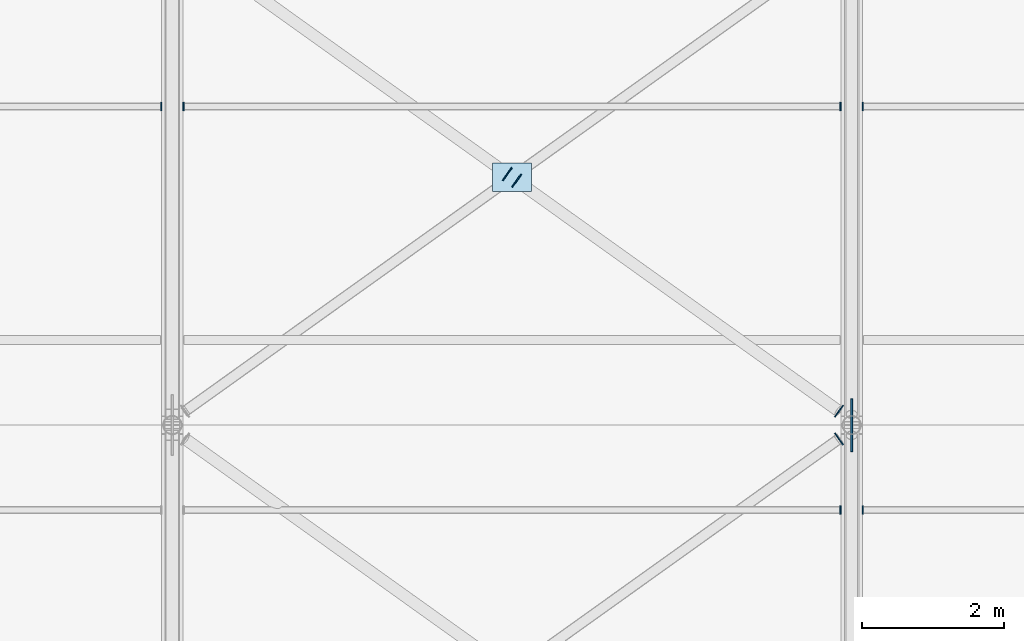
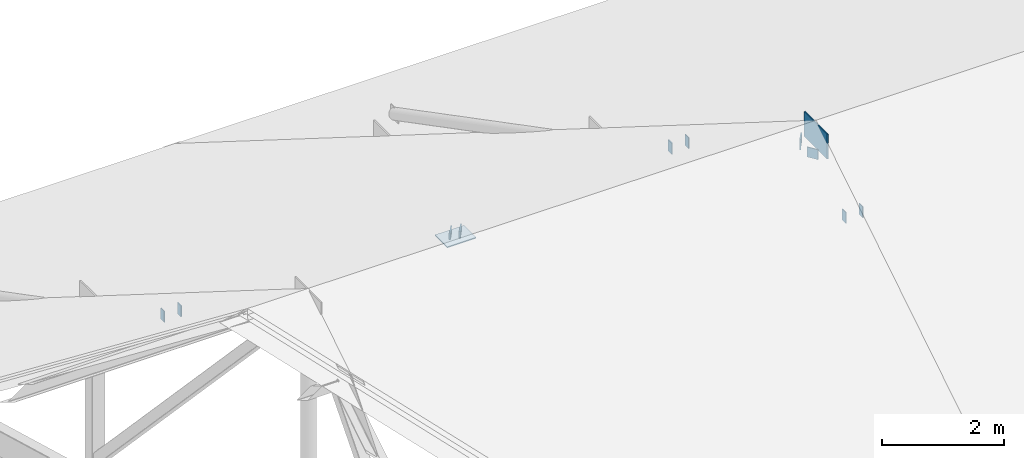
# One storey, part 43 of 66: 12 plates.
"""IFC4 building model written with IfcOpenShell, lengths in metres."""

from ifc_helpers import new_model, si_unit, direction, frame, origin, origin_2d, place, context, subcontext, project, spatial, rectangle, extrude, material, layer, layer_set, type_object, element, save


model = new_model("IFC4")

# Units and contexts
model_context = context("Model", 3, precision=1e-05, world=origin(), true_north=direction((0.0, 1.0)))
body_context = subcontext(model_context, "Body", "Model", "MODEL_VIEW")
ifc_project = project(units=[si_unit("LENGTHUNIT", "METRE"), si_unit("AREAUNIT", "SQUARE_METRE"), si_unit("VOLUMEUNIT", "CUBIC_METRE"), si_unit("PLANEANGLEUNIT", "RADIAN"), si_unit("MASSUNIT", "GRAM", prefix="KILO")], contexts=[model_context])

# Site, building, storey
site_placement = place(None, origin())
site = spatial("IfcSite", under=ifc_project, at=site_placement, CompositionType="ELEMENT")
building_placement = place(site_placement, origin())
building = spatial("IfcBuilding", under=site, at=building_placement, Name="Yeouljin Market Hall", CompositionType="ELEMENT")
storey_placement = place(building_placement, frame((0.0, 0.0, 23.39990234375)))
storey = spatial("IfcBuildingStorey", under=building, at=storey_placement, Name="RF", CompositionType="ELEMENT", Elevation=23.39990234375)

# Plates
ifc_material_1 = material(Name="Steel SM355", Category="steel")
ifc_layer_1 = layer(ifc_material_1, 0.01611328125)
ifc_layer_set_1 = layer_set([ifc_layer_1], Name="Steel SM355")
plate_type_1 = type_object("IfcPlateType", Name="CapPlate_200x200x16", PredefinedType="SHEET", material=ifc_layer_set_1)
for number, where, z_axis, x_axis, name in (
    (1, (92.820068359375, 56.80419921875, 0.623046875), (0.0, 0.0, 1.0), (-0.581697151818, 0.813405448449, 0.0), "Wind brace end-cap plate 0158"),
    (2, (92.820068359375, 57.19580078125, 0.623046875), (0.0, 0.0, 1.0), (0.581697151818, 0.813405448449, 0.0), "Wind brace end-cap plate 0168"),
):
    element("IfcPlate", number, at=place(storey_placement, frame(where, z_axis=z_axis, x_axis=x_axis)), inside=storey, type_object=plate_type_1, Name=name, PredefinedType="SHEET", context=body_context, shape_type="SweptSolid", body=[
        extrude(rectangle(XDim=0.199951171875, YDim=0.01611328125, at=origin_2d()), origin(), (0.0, 0.0, 1.0), 0.199951171875),
    ])
ifc_material_2 = material(Name="Steel SM355", Category="steel")
ifc_layer_2 = layer(ifc_material_2, 0.01611328125)
ifc_layer_set_2 = layer_set([ifc_layer_2], Name="Steel SM355")
plate_type_2 = type_object("IfcPlateType", Name="CapPlate_220x120x16", PredefinedType="SHEET", material=ifc_layer_set_2)
for number, where, z_axis, x_axis, name in (
    (3, (83.241943359375, 61.5, -2.11865234375), (0.0, 0.0, 1.0), (0.0, 1.0, 0.0), "Purlin end-cap plate 0140"),
    (4, (92.842041015625, 55.800048828125, -0.0439453125), (0.0, 0.0, 1.0), (0.0, 1.0, 0.0), "Purlin end-cap plate 0150"),
    (5, (83.55810546875, 61.5, -2.11865234375), (0.0, 0.0, 1.0), (0.0, 1.0, 0.0), "Purlin end-cap plate 0151"),
    (6, (92.842041015625, 61.5, -2.11865234375), (0.0, 0.0, 1.0), (0.0, 1.0, 0.0), "Purlin end-cap plate 0152"),
):
    element("IfcPlate", number, at=place(storey_placement, frame(where, z_axis=z_axis, x_axis=x_axis)), inside=storey, type_object=plate_type_2, Name=name, PredefinedType="SHEET", context=body_context, shape_type="SweptSolid", body=[
        extrude(rectangle(XDim=0.1201171875, YDim=0.01611328125, at=origin_2d()), origin(), (0.0, 0.0, 1.0), 0.219970703125),
    ])
for number, where, z_axis, x_axis, name in (
    (7, (88.134033203125, 60.547119140625, -1.554931640625), (0.0, 0.0, 1.0), (0.581697151818, 0.813405448449, 0.0), "Wind brace end-cap plate 0166"),
    (8, (88.265869140625, 60.452880859375, -1.508544921875), (0.0, 0.0, 1.0), (0.581697151818, 0.813405448449, 0.0), "Wind brace end-cap plate 0167"),
):
    element("IfcPlate", number, at=place(storey_placement, frame(where, z_axis=z_axis, x_axis=x_axis)), inside=storey, type_object=plate_type_2, Name=name, PredefinedType="SHEET", context=body_context, shape_type="SweptSolid", body=[
        extrude(rectangle(XDim=0.219970703125, YDim=0.01611328125, at=origin_2d()), origin(), (0.0, 0.0, 1.0), 0.1201171875),
    ])
for number, where, z_axis, x_axis, name in (
    (9, (93.157958984375, 55.800048828125, -0.0439453125), (0.0, 0.0, 1.0), (0.0, 1.0, 0.0), "Purlin end-cap plate 0173"),
    (10, (93.157958984375, 61.5, -2.11865234375), (0.0, 0.0, 1.0), (0.0, 1.0, 0.0), "Purlin end-cap plate 0175"),
):
    element("IfcPlate", number, at=place(storey_placement, frame(where, z_axis=z_axis, x_axis=x_axis)), inside=storey, type_object=plate_type_2, Name=name, PredefinedType="SHEET", context=body_context, shape_type="SweptSolid", body=[
        extrude(rectangle(XDim=0.1201171875, YDim=0.01611328125, at=origin_2d()), origin(), (0.0, 0.0, 1.0), 0.219970703125),
    ])
ifc_material_3 = material(Name="Steel SM355", Category="steel")
ifc_layer_3 = layer(ifc_material_3, 0.02001953125)
ifc_layer_set_3 = layer_set([ifc_layer_3], Name="Steel SM355")
plate_type_3 = type_object("IfcPlateType", Name="GussetPlate_550x400x20", PredefinedType="USERDEFINED", material=ifc_layer_set_3)
plate_1_placement = place(storey_placement, frame((88.199951171875, 60.5, -1.579833984375), z_axis=(0.0, 0.0, 1.0), x_axis=(1.0, 0.0, 0.0)))
element("IfcPlate", 11, at=plate_1_placement, inside=storey, type_object=plate_type_3, Name="X-brace crossing node gusset plate 006", ObjectType="GUSSET PLATE", PredefinedType="USERDEFINED", context=body_context, shape_type="SweptSolid", body=[
    extrude(rectangle(XDim=0.550048828125, YDim=0.39990234375, at=origin_2d()), origin(), (0.0, 0.0, 1.0), 0.02001953125),
])
ifc_material_4 = material(Name="Steel SM355", Category="steel")
ifc_layer_4 = layer(ifc_material_4, 0.02392578125)
ifc_layer_set_4 = layer_set([ifc_layer_4], Name="Steel SM355")
plate_type_4 = type_object("IfcPlateType", Name="GussetPlate_750x500x24", PredefinedType="USERDEFINED", material=ifc_layer_set_4)
plate_2_placement = place(storey_placement, frame((93.0, 57.0, 0.650146484375), z_axis=(0.0, 0.0, 1.0), x_axis=(0.0, 1.0, 0.0)))
element("IfcPlate", 12, at=plate_2_placement, inside=storey, type_object=plate_type_4, Name="Truss node gusset plate 033", ObjectType="GUSSET PLATE", PredefinedType="USERDEFINED", context=body_context, shape_type="SweptSolid", body=[
    extrude(rectangle(XDim=0.75, YDim=0.02392578125, at=origin_2d()), origin(), (0.0, 0.0, 1.0), 0.5),
])

save(model, "model.ifc")
